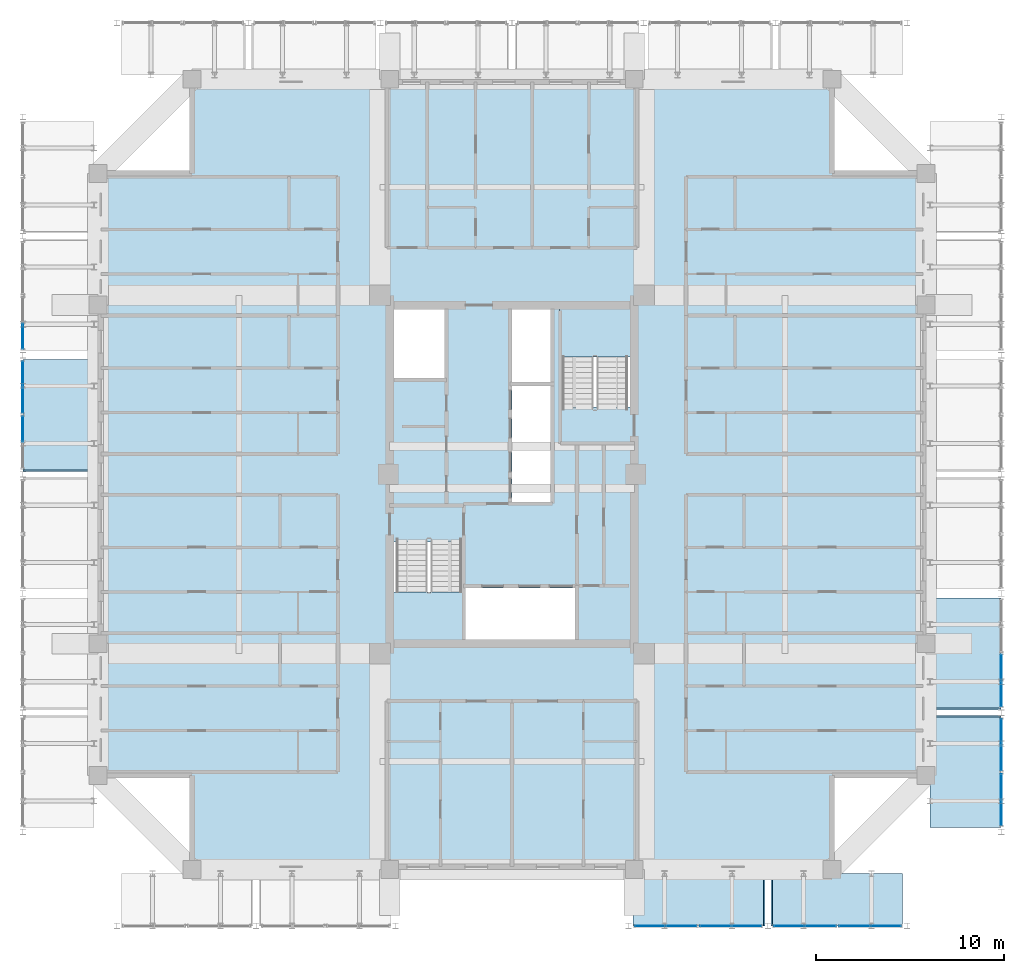
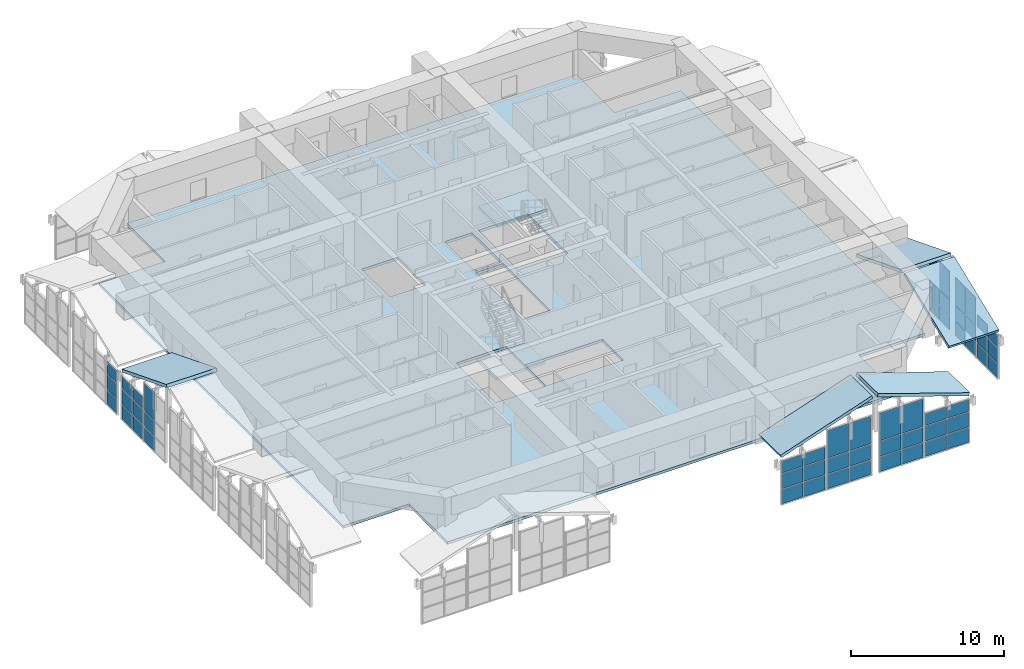
# One storey, part 33 of 45: 54 plates, 8 slabs, 12 elements without a shape of their own.
"""IFC4 building model written with IfcOpenShell, lengths in metres."""

from ifc_helpers import new_model, si_unit, direction, frame, origin, origin_2d, place, context, subcontext, project, spatial, polyline, rectangle, outline, extrude, source, transform, mapped, material, layer, layer_set, type_object, element, aggregate, save


model = new_model("IFC4")

# Units and contexts
model_context = context("Model", 3, precision=1e-05, world=origin(), true_north=direction((0.0, 1.0)))
body_context = subcontext(model_context, "Body", "Model", "MODEL_VIEW")
ifc_project = project(units=[si_unit("LENGTHUNIT", "METRE"), si_unit("AREAUNIT", "SQUARE_METRE"), si_unit("VOLUMEUNIT", "CUBIC_METRE"), si_unit("PLANEANGLEUNIT", "RADIAN"), si_unit("MASSUNIT", "GRAM", prefix="KILO")], contexts=[model_context])

# Site, building, storey
site_placement = place(None, origin())
site = spatial("IfcSite", under=ifc_project, at=site_placement, CompositionType="ELEMENT")
building_placement = place(site_placement, origin())
building = spatial("IfcBuilding", under=site, at=building_placement, Name="Saelheon Loggia Tower", CompositionType="ELEMENT")
storey_placement = place(building_placement, frame((0.0, 0.0, 152.199951171875)))
storey = spatial("IfcBuildingStorey", under=building, at=storey_placement, Name="L48", CompositionType="ELEMENT", Elevation=152.199951171875)

# Stair, slab
ifc_material_1 = material(Name="Concrete C40/50", Category="concrete")
stair_type = type_object("IfcStairType", Name="Stair_Escape_Core", PredefinedType="HALF_TURN_STAIR", material=ifc_material_1)
stair_1_placement = place(storey_placement, origin())
stair_1 = element("IfcStair", 1, at=stair_1_placement, inside=storey, type_object=stair_type, Name="L48 Special Escape Stair ST1", PredefinedType="HALF_TURN_STAIR")
ifc_layer_1 = layer(ifc_material_1, 0.199951171875)
ifc_layer_set_1 = layer_set([ifc_layer_1], Name="Concrete C40/50")
slab_type_1 = type_object("IfcSlabType", Name="Slab_StairLanding_ST1", PredefinedType="LANDING", material=ifc_layer_set_1)
slab_1_placement = place(storey_placement, frame((0.0, 0.0, 1.75)))
slab_1 = element("IfcSlab", 2, at=slab_1_placement, type_object=slab_type_1, Name="ST1 landing 1", PredefinedType="LANDING", context=body_context, shape_type="SweptSolid", body=[
    extrude(outline(polyline([(31.7099609375, 20.75), (31.7099609375, 18.2099609375), (35.469970703125, 18.2099609375), (35.469970703125, 20.75), (31.7099609375, 20.75)])), origin(), (0.0, 0.0, 1.0), 0.199951171875),
])
aggregate(stair_1, [slab_1])

stair_2_placement = place(storey_placement, origin())
stair_2 = element("IfcStair", 3, at=stair_2_placement, inside=storey, type_object=stair_type, Name="L48 Special Escape Stair ST2", PredefinedType="HALF_TURN_STAIR")
ifc_layer_2 = layer(ifc_material_1, 0.199951171875)
ifc_layer_set_2 = layer_set([ifc_layer_2], Name="Concrete C40/50")
slab_type_2 = type_object("IfcSlabType", Name="Slab_StairLanding_ST2", PredefinedType="LANDING", material=ifc_layer_set_2)
slab_2_placement = place(storey_placement, frame((0.0, 0.0, 1.75)))
slab_2 = element("IfcSlab", 4, at=slab_2_placement, type_object=slab_type_2, Name="ST2 landing 1", PredefinedType="LANDING", context=body_context, shape_type="SweptSolid", body=[
    extrude(outline(polyline([(44.2900390625, 33.25), (44.2900390625, 35.7900390625), (40.530029296875, 35.7900390625), (40.530029296875, 33.25), (44.2900390625, 33.25)])), origin(), (0.0, 0.0, 1.0), 0.199951171875),
])
aggregate(stair_2, [slab_2])

# Slabs
ifc_layer_3 = layer(ifc_material_1, 0.2099609375)
ifc_layer_set_3 = layer_set([ifc_layer_3], Name="Concrete C40/50")
slab_type_3 = type_object("IfcSlabType", Name="Slab_Tower_210", PredefinedType="FLOOR", material=ifc_layer_set_3)
slab_3_placement = place(storey_placement, frame((0.0, 0.0, -0.2099609375)))
element("IfcSlab", 5, at=slab_3_placement, inside=storey, type_object=slab_type_3, Name="L48 Tower Floor Slab", PredefinedType="FLOOR", context=body_context, shape_type="SweptSolid", body=[
    extrude(outline(polyline([(21.0, 6.0), (55.0, 6.0), (55.0, 11.0), (60.0, 11.0), (60.0, 43.0), (55.0, 43.0), (55.0, 48.0), (21.0, 48.0), (21.0, 43.0), (16.0, 43.0), (16.0, 11.0), (21.0, 11.0), (21.0, 6.0)]), holes=[polyline([(31.699951171875, 23.409912109375), (31.699951171875, 18.199951171875), (35.47998046875, 18.199951171875), (35.47998046875, 23.409912109375), (31.699951171875, 23.409912109375)]), polyline([(44.300048828125, 30.590087890625), (44.300048828125, 35.800048828125), (40.52001953125, 35.800048828125), (40.52001953125, 30.590087890625), (44.300048828125, 30.590087890625)]), polyline([(35.530029296875, 18.22509765625), (41.35009765625, 18.22509765625), (41.35009765625, 20.9599609375), (35.530029296875, 20.9599609375), (35.530029296875, 18.22509765625)]), polyline([(31.72509765625, 32.1201171875), (34.419921875, 32.1201171875), (34.419921875, 35.77490234375), (31.72509765625, 35.77490234375), (31.72509765625, 32.1201171875)]), polyline([(38.0, 31.89990234375), (40.050048828125, 31.89990234375), (40.050048828125, 35.77490234375), (38.0, 35.77490234375), (38.0, 31.89990234375)]), polyline([(38.0, 25.5400390625), (40.050048828125, 25.5400390625), (40.050048828125, 31.699951171875), (38.0, 31.699951171875), (38.0, 25.5400390625)])]), origin(), (0.0, 0.0, 1.0), 0.2099609375),
])
ifc_material_2 = material(Name="Precast Concrete C45/55", Category="concrete")
ifc_layer_4 = layer(ifc_material_2, 0.239990234375)
ifc_layer_set_4 = layer_set([ifc_layer_4], Name="Precast Concrete C45/55")
slab_type_4 = type_object("IfcSlabType", Name="Slab_WaveRoof_240", PredefinedType="ROOF", material=ifc_layer_set_4)
for number, where, z_axis, x_axis, name in (
    (6, (12.0, 27.239990234375, 2.85546875), (0.0, 0.36720628368, 0.930139529977), (1.0, 0.0, 0.0), "Tier 1 Wave Crest Roof Facet W 04"),
    (7, (60.219970703125, 8.239990234375, 0.544677734375), (0.0, -0.36720628368, 0.930139529977), (1.0, 0.0, 0.0), "Tier 1 Wave Crest Roof Facet E 01"),
):
    element("IfcSlab", number, at=place(storey_placement, frame(where, z_axis=z_axis, x_axis=x_axis)), inside=storey, type_object=slab_type_4, Name=name, PredefinedType="ROOF", context=body_context, shape_type="SweptSolid", body=[
        extrude(outline(polyline([(0.0, 0.0), (3.780029296875, 0.0), (3.780029296875, 6.292896168513408), (0.0, 6.292896168513408), (0.0, 0.0)])), origin(), (0.0, 0.0, -1.0), 0.239990234375),
    ])
slab_4_placement = place(storey_placement, frame((60.219970703125, 14.5732421875, 2.85546875), z_axis=(0.0, 0.36719303315, 0.930144760995), x_axis=(1.0, 0.0, 0.0)))
element("IfcSlab", 8, at=slab_4_placement, inside=storey, type_object=slab_type_4, Name="Tier 1 Wave Crest Roof Facet E 02", PredefinedType="ROOF", context=body_context, shape_type="SweptSolid", body=[
    extrude(outline(polyline([(0.0, 0.0), (3.780029296875, 0.0), (3.780029296875, 6.293123253998158), (0.0, 6.293123253998158), (0.0, 0.0)])), origin(), (0.0, 0.0, -1.0), 0.239990234375),
])
slab_5_placement = place(storey_placement, frame((44.43994140625, 3.0, 0.53125), z_axis=(-0.320035560379, 0.0, 0.94740553096), x_axis=(0.0, 1.0, 0.0)))
element("IfcSlab", 9, at=slab_5_placement, inside=storey, type_object=slab_type_4, Name="Tier 1 Wave Crest Roof Facet SE 01", PredefinedType="ROOF", context=body_context, shape_type="SweptSolid", body=[
    extrude(outline(polyline([(0.0, 0.0), (2.780029296875, 0.0), (2.780029296875, -7.3043335609569455), (0.0, -7.3043335609569455), (0.0, 0.0)])), origin(), (0.0, 0.0, -1.0), 0.239990234375),
])
slab_6_placement = place(storey_placement, frame((51.840087890625, 3.0, 2.868896484375), z_axis=(0.320045694978, 0.0, 0.947402107411), x_axis=(0.0, 1.0, 0.0)))
element("IfcSlab", 10, at=slab_6_placement, inside=storey, type_object=slab_type_4, Name="Tier 1 Wave Crest Roof Facet SE 02", PredefinedType="ROOF", context=body_context, shape_type="SweptSolid", body=[
    extrude(outline(polyline([(0.0, 0.0), (2.780029296875, 0.0), (2.780029296875, -7.304102261196396), (0.0, -7.304102261196396), (0.0, 0.0)])), origin(), (0.0, 0.0, -1.0), 0.239990234375),
])

# Curtain wall, plate
ifc_material_3 = material(Name="Bronze-Anodised Aluminium and Fritted Ceramic Screen", Category="aluminium")
ifc_layer_5 = layer(ifc_material_3, 0.219970703125)
ifc_layer_set_5 = layer_set([ifc_layer_5], Name="Bronze-Anodised Aluminium and Fritted Ceramic Screen")
curtain_wall_type = type_object("IfcCurtainWallType", Name="CW_CrownScreen", PredefinedType="NOTDEFINED", material=ifc_layer_set_5)
curtain_wall_1_placement = place(storey_placement, origin())
curtain_wall_1 = element("IfcCurtainWall", 11, at=curtain_wall_1_placement, inside=storey, type_object=curtain_wall_type, Name="Tier 1 Wave Crest Glazing W 04-1", PredefinedType="NOTDEFINED")
ifc_material_4 = material(Name="Bronze Ceramic Fritted Spandrel Panel", Category="aluminium")
ifc_layer_6 = layer(ifc_material_4, 0.0380859375)
ifc_layer_set_6 = layer_set([ifc_layer_6], Name="Bronze Ceramic Fritted Spandrel Panel")
plate_type = type_object("IfcPlateType", Name="CW_CrownScreen_Panel", PredefinedType="CURTAIN_PANEL", material=ifc_layer_set_6)
shared_shape_1 = source(origin(), body_context, "Body", "SweptSolid", [
    extrude(rectangle(XDim=1.328369140625, YDim=0.0380859375, at=origin_2d()), origin(), (0.0, 0.0, 1.0), 1.14501953125),
])
plate_1_placement = place(storey_placement, frame((12.0, 29.40234375, -3.3798828125), z_axis=(0.0, 0.0, 1.0), x_axis=(0.0, 1.0, 0.0)))
plate_1 = element("IfcPlate", 12, at=plate_1_placement, type_object=plate_type, Name="CW6 panel 2.1", PredefinedType="CURTAIN_PANEL", context=body_context, shape_type="MappedRepresentation", body=[
    mapped(shared_shape_1, transform((0.0, 0.0, 0.0), scale=1.0)),
])

# Curtain wall, plates
curtain_wall_2_placement = place(storey_placement, origin())
curtain_wall_2 = element("IfcCurtainWall", 13, at=curtain_wall_2_placement, inside=storey, type_object=curtain_wall_type, Name="Tier 1 Wave Crest Glazing W 04-2", PredefinedType="NOTDEFINED")
plate_2_placement = place(storey_placement, frame((12.0, 30.9306640625, -3.3798828125), z_axis=(0.0, 0.0, 1.0), x_axis=(0.0, 1.0, 0.0)))
plate_2 = element("IfcPlate", 14, at=plate_2_placement, type_object=plate_type, Name="CW6 panel 1.1", PredefinedType="CURTAIN_PANEL", context=body_context, shape_type="MappedRepresentation", body=[
    mapped(shared_shape_1, transform((0.0, 0.0, 0.0), scale=1.0)),
])
plate_3_placement = place(storey_placement, frame((12.0, 32.3291015625, -3.3798828125), z_axis=(0.0, 0.0, 1.0), x_axis=(0.0, 1.0, 0.0)))
plate_3 = element("IfcPlate", 15, at=plate_3_placement, type_object=plate_type, Name="CW6 panel 2.1", PredefinedType="CURTAIN_PANEL", context=body_context, shape_type="MappedRepresentation", body=[
    mapped(shared_shape_1, transform((0.0, 0.0, 0.0), scale=1.0)),
])

# Curtain wall, plate
curtain_wall_3_placement = place(storey_placement, origin())
curtain_wall_3 = element("IfcCurtainWall", 16, at=curtain_wall_3_placement, inside=storey, type_object=curtain_wall_type, Name="Tier 1 Wave Crest Glazing W 05-1", PredefinedType="NOTDEFINED")
plate_4_placement = place(storey_placement, frame((12.0, 34.33740234375, -3.3798828125), z_axis=(0.0, 0.0, 1.0), x_axis=(0.0, 1.0, 0.0)))
plate_4 = element("IfcPlate", 17, at=plate_4_placement, type_object=plate_type, Name="CW6 panel 1.1", PredefinedType="CURTAIN_PANEL", context=body_context, shape_type="MappedRepresentation", body=[
    mapped(shared_shape_1, transform((0.0, 0.0, 0.0), scale=1.0)),
])

# Curtain wall, plates
curtain_wall_4_placement = place(storey_placement, origin())
curtain_wall_4 = element("IfcCurtainWall", 18, at=curtain_wall_4_placement, inside=storey, type_object=curtain_wall_type, Name="Tier 1 Wave Crest Glazing E 01-1", PredefinedType="NOTDEFINED")
plate_5_placement = place(storey_placement, frame((64.0, 9.004150390625, -3.3798828125), z_axis=(0.0, 0.0, 1.0), x_axis=(0.0, 1.0, 0.0)))
plate_5 = element("IfcPlate", 19, at=plate_5_placement, type_object=plate_type, Name="CW6 panel 1.1", PredefinedType="CURTAIN_PANEL", context=body_context, shape_type="MappedRepresentation", body=[
    mapped(shared_shape_1, transform((0.0, 0.0, 0.0), scale=1.0)),
])
plate_6_placement = place(storey_placement, frame((64.0, 10.402587890625, -3.3798828125), z_axis=(0.0, 0.0, 1.0), x_axis=(0.0, 1.0, 0.0)))
plate_6 = element("IfcPlate", 20, at=plate_6_placement, type_object=plate_type, Name="CW6 panel 2.1", PredefinedType="CURTAIN_PANEL", context=body_context, shape_type="MappedRepresentation", body=[
    mapped(shared_shape_1, transform((0.0, 0.0, 0.0), scale=1.0)),
])

curtain_wall_5_placement = place(storey_placement, origin())
curtain_wall_5 = element("IfcCurtainWall", 21, at=curtain_wall_5_placement, inside=storey, type_object=curtain_wall_type, Name="Tier 1 Wave Crest Glazing E 01-2", PredefinedType="NOTDEFINED")
plate_7_placement = place(storey_placement, frame((64.0, 11.9306640625, -3.3798828125), z_axis=(0.0, 0.0, 1.0), x_axis=(0.0, 1.0, 0.0)))
plate_7 = element("IfcPlate", 22, at=plate_7_placement, type_object=plate_type, Name="CW6 panel 1.1", PredefinedType="CURTAIN_PANEL", context=body_context, shape_type="MappedRepresentation", body=[
    mapped(shared_shape_1, transform((0.0, 0.0, 0.0), scale=1.0)),
])
plate_8_placement = place(storey_placement, frame((64.0, 13.3291015625, -3.3798828125), z_axis=(0.0, 0.0, 1.0), x_axis=(0.0, 1.0, 0.0)))
plate_8 = element("IfcPlate", 23, at=plate_8_placement, type_object=plate_type, Name="CW6 panel 2.1", PredefinedType="CURTAIN_PANEL", context=body_context, shape_type="MappedRepresentation", body=[
    mapped(shared_shape_1, transform((0.0, 0.0, 0.0), scale=1.0)),
])

curtain_wall_6_placement = place(storey_placement, origin())
curtain_wall_6 = element("IfcCurtainWall", 24, at=curtain_wall_6_placement, inside=storey, type_object=curtain_wall_type, Name="Tier 1 Wave Crest Glazing E 02-1", PredefinedType="NOTDEFINED")
plate_9_placement = place(storey_placement, frame((64.0, 15.33740234375, -3.3798828125), z_axis=(0.0, 0.0, 1.0), x_axis=(0.0, 1.0, 0.0)))
plate_9 = element("IfcPlate", 25, at=plate_9_placement, type_object=plate_type, Name="CW6 panel 1.1", PredefinedType="CURTAIN_PANEL", context=body_context, shape_type="MappedRepresentation", body=[
    mapped(shared_shape_1, transform((0.0, 0.0, 0.0), scale=1.0)),
])
plate_10_placement = place(storey_placement, frame((64.0, 16.73583984375, -3.3798828125), z_axis=(0.0, 0.0, 1.0), x_axis=(0.0, 1.0, 0.0)))
plate_10 = element("IfcPlate", 26, at=plate_10_placement, type_object=plate_type, Name="CW6 panel 2.1", PredefinedType="CURTAIN_PANEL", context=body_context, shape_type="MappedRepresentation", body=[
    mapped(shared_shape_1, transform((0.0, 0.0, 0.0), scale=1.0)),
])

# Plate
shared_shape_2 = source(origin(), body_context, "Body", "SweptSolid", [
    extrude(rectangle(XDim=1.328369140625, YDim=0.0380859375, at=origin_2d()), origin(), (0.0, 0.0, 1.0), 1.179931640625),
])
plate_11_placement = place(storey_placement, frame((12.0, 29.40234375, -2.1650390625), z_axis=(0.0, 0.0, 1.0), x_axis=(0.0, 1.0, 0.0)))
plate_11 = element("IfcPlate", 27, at=plate_11_placement, type_object=plate_type, Name="CW6 panel 2.2", PredefinedType="CURTAIN_PANEL", context=body_context, shape_type="MappedRepresentation", body=[
    mapped(shared_shape_2, transform((0.0, 0.0, 0.0), scale=1.0)),
])

plate_12_placement = place(storey_placement, frame((12.0, 30.9306640625, -2.1650390625), z_axis=(0.0, 0.0, 1.0), x_axis=(0.0, 1.0, 0.0)))
plate_12 = element("IfcPlate", 28, at=plate_12_placement, type_object=plate_type, Name="CW6 panel 1.2", PredefinedType="CURTAIN_PANEL", context=body_context, shape_type="MappedRepresentation", body=[
    mapped(shared_shape_2, transform((0.0, 0.0, 0.0), scale=1.0)),
])

plate_13_placement = place(storey_placement, frame((12.0, 32.3291015625, -2.1650390625), z_axis=(0.0, 0.0, 1.0), x_axis=(0.0, 1.0, 0.0)))
plate_13 = element("IfcPlate", 29, at=plate_13_placement, type_object=plate_type, Name="CW6 panel 2.2", PredefinedType="CURTAIN_PANEL", context=body_context, shape_type="MappedRepresentation", body=[
    mapped(shared_shape_2, transform((0.0, 0.0, 0.0), scale=1.0)),
])

plate_14_placement = place(storey_placement, frame((12.0, 34.33740234375, -2.1650390625), z_axis=(0.0, 0.0, 1.0), x_axis=(0.0, 1.0, 0.0)))
plate_14 = element("IfcPlate", 30, at=plate_14_placement, type_object=plate_type, Name="CW6 panel 1.2", PredefinedType="CURTAIN_PANEL", context=body_context, shape_type="MappedRepresentation", body=[
    mapped(shared_shape_2, transform((0.0, 0.0, 0.0), scale=1.0)),
])

plate_15_placement = place(storey_placement, frame((64.0, 9.004150390625, -2.1650390625), z_axis=(0.0, 0.0, 1.0), x_axis=(0.0, 1.0, 0.0)))
plate_15 = element("IfcPlate", 31, at=plate_15_placement, type_object=plate_type, Name="CW6 panel 1.2", PredefinedType="CURTAIN_PANEL", context=body_context, shape_type="MappedRepresentation", body=[
    mapped(shared_shape_2, transform((0.0, 0.0, 0.0), scale=1.0)),
])

plate_16_placement = place(storey_placement, frame((64.0, 10.402587890625, -2.1650390625), z_axis=(0.0, 0.0, 1.0), x_axis=(0.0, 1.0, 0.0)))
plate_16 = element("IfcPlate", 32, at=plate_16_placement, type_object=plate_type, Name="CW6 panel 2.2", PredefinedType="CURTAIN_PANEL", context=body_context, shape_type="MappedRepresentation", body=[
    mapped(shared_shape_2, transform((0.0, 0.0, 0.0), scale=1.0)),
])

plate_17_placement = place(storey_placement, frame((64.0, 11.9306640625, -2.1650390625), z_axis=(0.0, 0.0, 1.0), x_axis=(0.0, 1.0, 0.0)))
plate_17 = element("IfcPlate", 33, at=plate_17_placement, type_object=plate_type, Name="CW6 panel 1.2", PredefinedType="CURTAIN_PANEL", context=body_context, shape_type="MappedRepresentation", body=[
    mapped(shared_shape_2, transform((0.0, 0.0, 0.0), scale=1.0)),
])

plate_18_placement = place(storey_placement, frame((64.0, 13.3291015625, -2.1650390625), z_axis=(0.0, 0.0, 1.0), x_axis=(0.0, 1.0, 0.0)))
plate_18 = element("IfcPlate", 34, at=plate_18_placement, type_object=plate_type, Name="CW6 panel 2.2", PredefinedType="CURTAIN_PANEL", context=body_context, shape_type="MappedRepresentation", body=[
    mapped(shared_shape_2, transform((0.0, 0.0, 0.0), scale=1.0)),
])

plate_19_placement = place(storey_placement, frame((64.0, 15.33740234375, -2.1650390625), z_axis=(0.0, 0.0, 1.0), x_axis=(0.0, 1.0, 0.0)))
plate_19 = element("IfcPlate", 35, at=plate_19_placement, type_object=plate_type, Name="CW6 panel 1.2", PredefinedType="CURTAIN_PANEL", context=body_context, shape_type="MappedRepresentation", body=[
    mapped(shared_shape_2, transform((0.0, 0.0, 0.0), scale=1.0)),
])

plate_20_placement = place(storey_placement, frame((64.0, 16.73583984375, -2.1650390625), z_axis=(0.0, 0.0, 1.0), x_axis=(0.0, 1.0, 0.0)))
plate_20 = element("IfcPlate", 36, at=plate_20_placement, type_object=plate_type, Name="CW6 panel 2.2", PredefinedType="CURTAIN_PANEL", context=body_context, shape_type="MappedRepresentation", body=[
    mapped(shared_shape_2, transform((0.0, 0.0, 0.0), scale=1.0)),
])

shared_shape_3 = source(origin(), body_context, "Body", "SweptSolid", [
    extrude(rectangle(XDim=1.328369140625, YDim=0.0380859375, at=origin_2d()), origin(), (0.0, 0.0, 1.0), 0.955078125),
])
plate_21_placement = place(storey_placement, frame((12.0, 30.9306640625, -0.9150390625), z_axis=(0.0, 0.0, 1.0), x_axis=(0.0, 1.0, 0.0)))
plate_21 = element("IfcPlate", 37, at=plate_21_placement, type_object=plate_type, Name="CW6 panel 1.3", PredefinedType="CURTAIN_PANEL", context=body_context, shape_type="MappedRepresentation", body=[
    mapped(shared_shape_3, transform((0.0, 0.0, 0.0), scale=1.0)),
])

plate_22_placement = place(storey_placement, frame((12.0, 32.3291015625, -0.9150390625), z_axis=(0.0, 0.0, 1.0), x_axis=(0.0, 1.0, 0.0)))
plate_22 = element("IfcPlate", 38, at=plate_22_placement, type_object=plate_type, Name="CW6 panel 2.3", PredefinedType="CURTAIN_PANEL", context=body_context, shape_type="MappedRepresentation", body=[
    mapped(shared_shape_3, transform((0.0, 0.0, 0.0), scale=1.0)),
])

aggregate(curtain_wall_2, [plate_2, plate_12, plate_21, plate_3, plate_13, plate_22])

plate_23_placement = place(storey_placement, frame((12.0, 34.33740234375, -0.9150390625), z_axis=(0.0, 0.0, 1.0), x_axis=(0.0, 1.0, 0.0)))
plate_23 = element("IfcPlate", 39, at=plate_23_placement, type_object=plate_type, Name="CW6 panel 1.3", PredefinedType="CURTAIN_PANEL", context=body_context, shape_type="MappedRepresentation", body=[
    mapped(shared_shape_3, transform((0.0, 0.0, 0.0), scale=1.0)),
])

aggregate(curtain_wall_3, [plate_4, plate_14, plate_23])

plate_24_placement = place(storey_placement, frame((64.0, 9.004150390625, -0.9150390625), z_axis=(0.0, 0.0, 1.0), x_axis=(0.0, 1.0, 0.0)))
plate_24 = element("IfcPlate", 40, at=plate_24_placement, type_object=plate_type, Name="CW6 panel 1.3", PredefinedType="CURTAIN_PANEL", context=body_context, shape_type="MappedRepresentation", body=[
    mapped(shared_shape_3, transform((0.0, 0.0, 0.0), scale=1.0)),
])

plate_25_placement = place(storey_placement, frame((64.0, 10.402587890625, -0.9150390625), z_axis=(0.0, 0.0, 1.0), x_axis=(0.0, 1.0, 0.0)))
plate_25 = element("IfcPlate", 41, at=plate_25_placement, type_object=plate_type, Name="CW6 panel 2.3", PredefinedType="CURTAIN_PANEL", context=body_context, shape_type="MappedRepresentation", body=[
    mapped(shared_shape_3, transform((0.0, 0.0, 0.0), scale=1.0)),
])

aggregate(curtain_wall_4, [plate_5, plate_15, plate_24, plate_6, plate_16, plate_25])

shared_shape_4 = source(origin(), body_context, "Body", "SweptSolid", [
    extrude(rectangle(XDim=1.328369140625, YDim=0.0380859375, at=origin_2d()), origin(), (0.0, 0.0, 1.0), 2.205078125),
])
plate_26_placement = place(storey_placement, frame((12.0, 29.40234375, -0.9150390625), z_axis=(0.0, 0.0, 1.0), x_axis=(0.0, 1.0, 0.0)))
plate_26 = element("IfcPlate", 42, at=plate_26_placement, type_object=plate_type, Name="CW6 panel 2.3", PredefinedType="CURTAIN_PANEL", context=body_context, shape_type="MappedRepresentation", body=[
    mapped(shared_shape_4, transform((0.0, 0.0, 0.0), scale=1.0)),
])

aggregate(curtain_wall_1, [plate_1, plate_11, plate_26])

plate_27_placement = place(storey_placement, frame((64.0, 11.9306640625, -0.9150390625), z_axis=(0.0, 0.0, 1.0), x_axis=(0.0, 1.0, 0.0)))
plate_27 = element("IfcPlate", 43, at=plate_27_placement, type_object=plate_type, Name="CW6 panel 1.3", PredefinedType="CURTAIN_PANEL", context=body_context, shape_type="MappedRepresentation", body=[
    mapped(shared_shape_4, transform((0.0, 0.0, 0.0), scale=1.0)),
])

plate_28_placement = place(storey_placement, frame((64.0, 13.3291015625, -0.9150390625), z_axis=(0.0, 0.0, 1.0), x_axis=(0.0, 1.0, 0.0)))
plate_28 = element("IfcPlate", 44, at=plate_28_placement, type_object=plate_type, Name="CW6 panel 2.3", PredefinedType="CURTAIN_PANEL", context=body_context, shape_type="MappedRepresentation", body=[
    mapped(shared_shape_4, transform((0.0, 0.0, 0.0), scale=1.0)),
])

aggregate(curtain_wall_5, [plate_7, plate_17, plate_27, plate_8, plate_18, plate_28])

plate_29_placement = place(storey_placement, frame((64.0, 15.33740234375, -0.9150390625), z_axis=(0.0, 0.0, 1.0), x_axis=(0.0, 1.0, 0.0)))
plate_29 = element("IfcPlate", 45, at=plate_29_placement, type_object=plate_type, Name="CW6 panel 1.3", PredefinedType="CURTAIN_PANEL", context=body_context, shape_type="MappedRepresentation", body=[
    mapped(shared_shape_4, transform((0.0, 0.0, 0.0), scale=1.0)),
])

plate_30_placement = place(storey_placement, frame((64.0, 16.73583984375, -0.9150390625), z_axis=(0.0, 0.0, 1.0), x_axis=(0.0, 1.0, 0.0)))
plate_30 = element("IfcPlate", 46, at=plate_30_placement, type_object=plate_type, Name="CW6 panel 2.3", PredefinedType="CURTAIN_PANEL", context=body_context, shape_type="MappedRepresentation", body=[
    mapped(shared_shape_4, transform((0.0, 0.0, 0.0), scale=1.0)),
])

aggregate(curtain_wall_6, [plate_9, plate_19, plate_29, plate_10, plate_20, plate_30])

# Curtain wall, plates
curtain_wall_7_placement = place(storey_placement, origin())
curtain_wall_7 = element("IfcCurtainWall", 47, at=curtain_wall_7_placement, inside=storey, type_object=curtain_wall_type, Name="Tier 1 Wave Crest Glazing SE 01-1", PredefinedType="NOTDEFINED")
shared_shape_5 = source(origin(), body_context, "Body", "SweptSolid", [
    extrude(rectangle(XDim=1.594970703125, YDim=0.0380859375, at=origin_2d()), origin(), (0.0, 0.0, 1.0), 1.14501953125),
])
plate_31_placement = place(storey_placement, frame((45.33740234375, 3.0, -3.3798828125), z_axis=(0.0, 0.0, 1.0), x_axis=(1.0, 0.0, 0.0)))
plate_31 = element("IfcPlate", 48, at=plate_31_placement, type_object=plate_type, Name="CW6 panel 1.1", PredefinedType="CURTAIN_PANEL", context=body_context, shape_type="MappedRepresentation", body=[
    mapped(shared_shape_5, transform((0.0, 0.0, 0.0), scale=1.0)),
])
plate_32_placement = place(storey_placement, frame((47.00244140625, 3.0, -3.3798828125), z_axis=(0.0, 0.0, 1.0), x_axis=(1.0, 0.0, 0.0)))
plate_32 = element("IfcPlate", 49, at=plate_32_placement, type_object=plate_type, Name="CW6 panel 2.1", PredefinedType="CURTAIN_PANEL", context=body_context, shape_type="MappedRepresentation", body=[
    mapped(shared_shape_5, transform((0.0, 0.0, 0.0), scale=1.0)),
])

curtain_wall_8_placement = place(storey_placement, origin())
curtain_wall_8 = element("IfcCurtainWall", 50, at=curtain_wall_8_placement, inside=storey, type_object=curtain_wall_type, Name="Tier 1 Wave Crest Glazing SE 01-2", PredefinedType="NOTDEFINED")
plate_33_placement = place(storey_placement, frame((48.797607421875, 3.0, -3.3798828125), z_axis=(0.0, 0.0, 1.0), x_axis=(1.0, 0.0, 0.0)))
plate_33 = element("IfcPlate", 51, at=plate_33_placement, type_object=plate_type, Name="CW6 panel 1.1", PredefinedType="CURTAIN_PANEL", context=body_context, shape_type="MappedRepresentation", body=[
    mapped(shared_shape_5, transform((0.0, 0.0, 0.0), scale=1.0)),
])
plate_34_placement = place(storey_placement, frame((50.46240234375, 3.0, -3.3798828125), z_axis=(0.0, 0.0, 1.0), x_axis=(1.0, 0.0, 0.0)))
plate_34 = element("IfcPlate", 52, at=plate_34_placement, type_object=plate_type, Name="CW6 panel 2.1", PredefinedType="CURTAIN_PANEL", context=body_context, shape_type="MappedRepresentation", body=[
    mapped(shared_shape_5, transform((0.0, 0.0, 0.0), scale=1.0)),
])

curtain_wall_9_placement = place(storey_placement, origin())
curtain_wall_9 = element("IfcCurtainWall", 53, at=curtain_wall_9_placement, inside=storey, type_object=curtain_wall_type, Name="Tier 1 Wave Crest Glazing SE 02-1", PredefinedType="NOTDEFINED")
plate_35_placement = place(storey_placement, frame((52.737548828125, 3.0, -3.3798828125), z_axis=(0.0, 0.0, 1.0), x_axis=(1.0, 0.0, 0.0)))
plate_35 = element("IfcPlate", 54, at=plate_35_placement, type_object=plate_type, Name="CW6 panel 1.1", PredefinedType="CURTAIN_PANEL", context=body_context, shape_type="MappedRepresentation", body=[
    mapped(shared_shape_5, transform((0.0, 0.0, 0.0), scale=1.0)),
])
plate_36_placement = place(storey_placement, frame((54.402587890625, 3.0, -3.3798828125), z_axis=(0.0, 0.0, 1.0), x_axis=(1.0, 0.0, 0.0)))
plate_36 = element("IfcPlate", 55, at=plate_36_placement, type_object=plate_type, Name="CW6 panel 2.1", PredefinedType="CURTAIN_PANEL", context=body_context, shape_type="MappedRepresentation", body=[
    mapped(shared_shape_5, transform((0.0, 0.0, 0.0), scale=1.0)),
])

curtain_wall_10_placement = place(storey_placement, origin())
curtain_wall_10 = element("IfcCurtainWall", 56, at=curtain_wall_10_placement, inside=storey, type_object=curtain_wall_type, Name="Tier 1 Wave Crest Glazing SE 02-2", PredefinedType="NOTDEFINED")
plate_37_placement = place(storey_placement, frame((56.197509765625, 3.0, -3.3798828125), z_axis=(0.0, 0.0, 1.0), x_axis=(1.0, 0.0, 0.0)))
plate_37 = element("IfcPlate", 57, at=plate_37_placement, type_object=plate_type, Name="CW6 panel 1.1", PredefinedType="CURTAIN_PANEL", context=body_context, shape_type="MappedRepresentation", body=[
    mapped(shared_shape_5, transform((0.0, 0.0, 0.0), scale=1.0)),
])
plate_38_placement = place(storey_placement, frame((57.862548828125, 3.0, -3.3798828125), z_axis=(0.0, 0.0, 1.0), x_axis=(1.0, 0.0, 0.0)))
plate_38 = element("IfcPlate", 58, at=plate_38_placement, type_object=plate_type, Name="CW6 panel 2.1", PredefinedType="CURTAIN_PANEL", context=body_context, shape_type="MappedRepresentation", body=[
    mapped(shared_shape_5, transform((0.0, 0.0, 0.0), scale=1.0)),
])

# Plate
shared_shape_6 = source(origin(), body_context, "Body", "SweptSolid", [
    extrude(rectangle(XDim=1.594970703125, YDim=0.0380859375, at=origin_2d()), origin(), (0.0, 0.0, 1.0), 1.179931640625),
])
plate_39_placement = place(storey_placement, frame((45.33740234375, 3.0, -2.1650390625), z_axis=(0.0, 0.0, 1.0), x_axis=(1.0, 0.0, 0.0)))
plate_39 = element("IfcPlate", 59, at=plate_39_placement, type_object=plate_type, Name="CW6 panel 1.2", PredefinedType="CURTAIN_PANEL", context=body_context, shape_type="MappedRepresentation", body=[
    mapped(shared_shape_6, transform((0.0, 0.0, 0.0), scale=1.0)),
])

plate_40_placement = place(storey_placement, frame((47.00244140625, 3.0, -2.1650390625), z_axis=(0.0, 0.0, 1.0), x_axis=(1.0, 0.0, 0.0)))
plate_40 = element("IfcPlate", 60, at=plate_40_placement, type_object=plate_type, Name="CW6 panel 2.2", PredefinedType="CURTAIN_PANEL", context=body_context, shape_type="MappedRepresentation", body=[
    mapped(shared_shape_6, transform((0.0, 0.0, 0.0), scale=1.0)),
])

plate_41_placement = place(storey_placement, frame((48.797607421875, 3.0, -2.1650390625), z_axis=(0.0, 0.0, 1.0), x_axis=(1.0, 0.0, 0.0)))
plate_41 = element("IfcPlate", 61, at=plate_41_placement, type_object=plate_type, Name="CW6 panel 1.2", PredefinedType="CURTAIN_PANEL", context=body_context, shape_type="MappedRepresentation", body=[
    mapped(shared_shape_6, transform((0.0, 0.0, 0.0), scale=1.0)),
])

plate_42_placement = place(storey_placement, frame((50.46240234375, 3.0, -2.1650390625), z_axis=(0.0, 0.0, 1.0), x_axis=(1.0, 0.0, 0.0)))
plate_42 = element("IfcPlate", 62, at=plate_42_placement, type_object=plate_type, Name="CW6 panel 2.2", PredefinedType="CURTAIN_PANEL", context=body_context, shape_type="MappedRepresentation", body=[
    mapped(shared_shape_6, transform((0.0, 0.0, 0.0), scale=1.0)),
])

plate_43_placement = place(storey_placement, frame((52.737548828125, 3.0, -2.1650390625), z_axis=(0.0, 0.0, 1.0), x_axis=(1.0, 0.0, 0.0)))
plate_43 = element("IfcPlate", 63, at=plate_43_placement, type_object=plate_type, Name="CW6 panel 1.2", PredefinedType="CURTAIN_PANEL", context=body_context, shape_type="MappedRepresentation", body=[
    mapped(shared_shape_6, transform((0.0, 0.0, 0.0), scale=1.0)),
])

plate_44_placement = place(storey_placement, frame((54.402587890625, 3.0, -2.1650390625), z_axis=(0.0, 0.0, 1.0), x_axis=(1.0, 0.0, 0.0)))
plate_44 = element("IfcPlate", 64, at=plate_44_placement, type_object=plate_type, Name="CW6 panel 2.2", PredefinedType="CURTAIN_PANEL", context=body_context, shape_type="MappedRepresentation", body=[
    mapped(shared_shape_6, transform((0.0, 0.0, 0.0), scale=1.0)),
])

plate_45_placement = place(storey_placement, frame((56.197509765625, 3.0, -2.1650390625), z_axis=(0.0, 0.0, 1.0), x_axis=(1.0, 0.0, 0.0)))
plate_45 = element("IfcPlate", 65, at=plate_45_placement, type_object=plate_type, Name="CW6 panel 1.2", PredefinedType="CURTAIN_PANEL", context=body_context, shape_type="MappedRepresentation", body=[
    mapped(shared_shape_6, transform((0.0, 0.0, 0.0), scale=1.0)),
])

plate_46_placement = place(storey_placement, frame((57.862548828125, 3.0, -2.1650390625), z_axis=(0.0, 0.0, 1.0), x_axis=(1.0, 0.0, 0.0)))
plate_46 = element("IfcPlate", 66, at=plate_46_placement, type_object=plate_type, Name="CW6 panel 2.2", PredefinedType="CURTAIN_PANEL", context=body_context, shape_type="MappedRepresentation", body=[
    mapped(shared_shape_6, transform((0.0, 0.0, 0.0), scale=1.0)),
])

shared_shape_7 = source(origin(), body_context, "Body", "SweptSolid", [
    extrude(rectangle(XDim=1.594970703125, YDim=0.0380859375, at=origin_2d()), origin(), (0.0, 0.0, 1.0), 0.955078125),
])
plate_47_placement = place(storey_placement, frame((45.33740234375, 3.0, -0.9150390625), z_axis=(0.0, 0.0, 1.0), x_axis=(1.0, 0.0, 0.0)))
plate_47 = element("IfcPlate", 67, at=plate_47_placement, type_object=plate_type, Name="CW6 panel 1.3", PredefinedType="CURTAIN_PANEL", context=body_context, shape_type="MappedRepresentation", body=[
    mapped(shared_shape_7, transform((0.0, 0.0, 0.0), scale=1.0)),
])

plate_48_placement = place(storey_placement, frame((47.00244140625, 3.0, -0.9150390625), z_axis=(0.0, 0.0, 1.0), x_axis=(1.0, 0.0, 0.0)))
plate_48 = element("IfcPlate", 68, at=plate_48_placement, type_object=plate_type, Name="CW6 panel 2.3", PredefinedType="CURTAIN_PANEL", context=body_context, shape_type="MappedRepresentation", body=[
    mapped(shared_shape_7, transform((0.0, 0.0, 0.0), scale=1.0)),
])

aggregate(curtain_wall_7, [plate_31, plate_39, plate_47, plate_32, plate_40, plate_48])

plate_49_placement = place(storey_placement, frame((56.197509765625, 3.0, -0.9150390625), z_axis=(0.0, 0.0, 1.0), x_axis=(1.0, 0.0, 0.0)))
plate_49 = element("IfcPlate", 69, at=plate_49_placement, type_object=plate_type, Name="CW6 panel 1.3", PredefinedType="CURTAIN_PANEL", context=body_context, shape_type="MappedRepresentation", body=[
    mapped(shared_shape_7, transform((0.0, 0.0, 0.0), scale=1.0)),
])

plate_50_placement = place(storey_placement, frame((57.862548828125, 3.0, -0.9150390625), z_axis=(0.0, 0.0, 1.0), x_axis=(1.0, 0.0, 0.0)))
plate_50 = element("IfcPlate", 70, at=plate_50_placement, type_object=plate_type, Name="CW6 panel 2.3", PredefinedType="CURTAIN_PANEL", context=body_context, shape_type="MappedRepresentation", body=[
    mapped(shared_shape_7, transform((0.0, 0.0, 0.0), scale=1.0)),
])

aggregate(curtain_wall_10, [plate_37, plate_45, plate_49, plate_38, plate_46, plate_50])

shared_shape_8 = source(origin(), body_context, "Body", "SweptSolid", [
    extrude(rectangle(XDim=1.594970703125, YDim=0.0380859375, at=origin_2d()), origin(), (0.0, 0.0, 1.0), 2.205078125),
])
plate_51_placement = place(storey_placement, frame((48.797607421875, 3.0, -0.9150390625), z_axis=(0.0, 0.0, 1.0), x_axis=(1.0, 0.0, 0.0)))
plate_51 = element("IfcPlate", 71, at=plate_51_placement, type_object=plate_type, Name="CW6 panel 1.3", PredefinedType="CURTAIN_PANEL", context=body_context, shape_type="MappedRepresentation", body=[
    mapped(shared_shape_8, transform((0.0, 0.0, 0.0), scale=1.0)),
])

plate_52_placement = place(storey_placement, frame((50.46240234375, 3.0, -0.9150390625), z_axis=(0.0, 0.0, 1.0), x_axis=(1.0, 0.0, 0.0)))
plate_52 = element("IfcPlate", 72, at=plate_52_placement, type_object=plate_type, Name="CW6 panel 2.3", PredefinedType="CURTAIN_PANEL", context=body_context, shape_type="MappedRepresentation", body=[
    mapped(shared_shape_8, transform((0.0, 0.0, 0.0), scale=1.0)),
])

aggregate(curtain_wall_8, [plate_33, plate_41, plate_51, plate_34, plate_42, plate_52])

plate_53_placement = place(storey_placement, frame((52.737548828125, 3.0, -0.9150390625), z_axis=(0.0, 0.0, 1.0), x_axis=(1.0, 0.0, 0.0)))
plate_53 = element("IfcPlate", 73, at=plate_53_placement, type_object=plate_type, Name="CW6 panel 1.3", PredefinedType="CURTAIN_PANEL", context=body_context, shape_type="MappedRepresentation", body=[
    mapped(shared_shape_8, transform((0.0, 0.0, 0.0), scale=1.0)),
])

plate_54_placement = place(storey_placement, frame((54.402587890625, 3.0, -0.9150390625), z_axis=(0.0, 0.0, 1.0), x_axis=(1.0, 0.0, 0.0)))
plate_54 = element("IfcPlate", 74, at=plate_54_placement, type_object=plate_type, Name="CW6 panel 2.3", PredefinedType="CURTAIN_PANEL", context=body_context, shape_type="MappedRepresentation", body=[
    mapped(shared_shape_8, transform((0.0, 0.0, 0.0), scale=1.0)),
])

aggregate(curtain_wall_9, [plate_35, plate_43, plate_53, plate_36, plate_44, plate_54])

save(model, "model.ifc")
